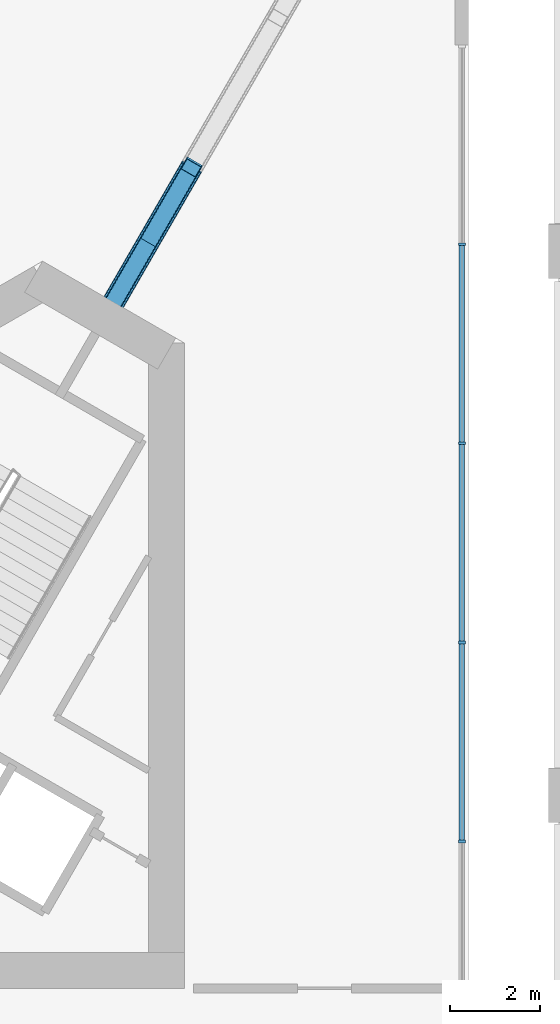
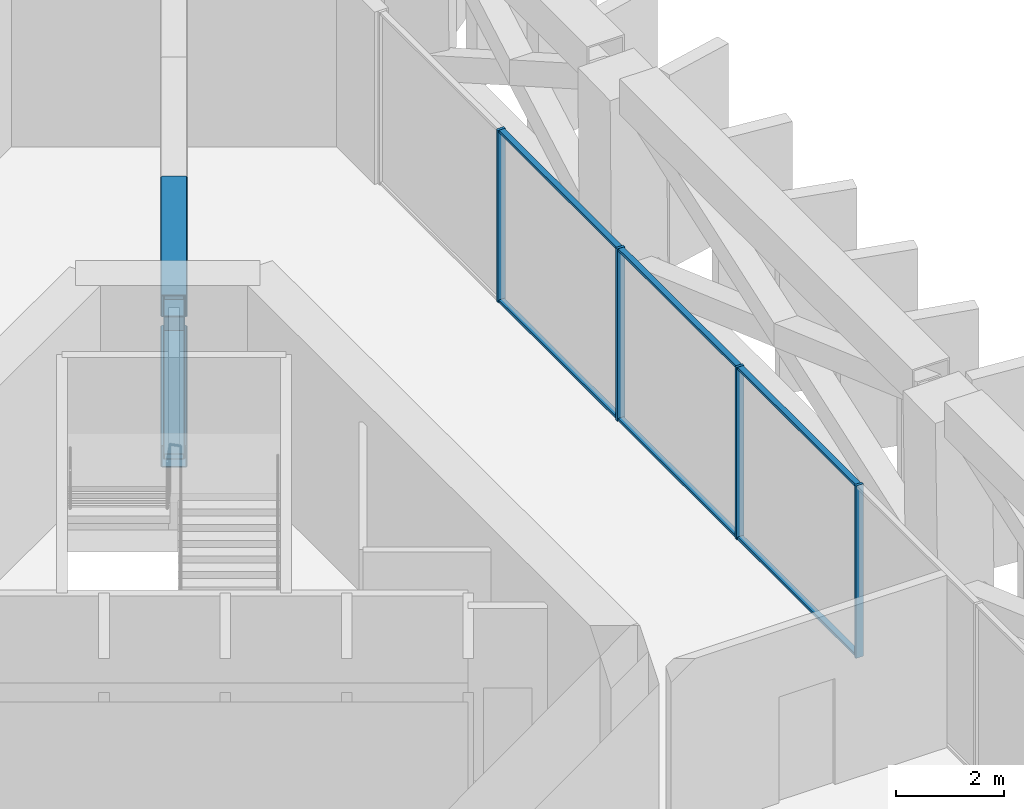
# One storey, part 10 of 18: 14 members, 1 element without a shape of its own.
"""IFC4 building model written with IfcOpenShell, lengths in metres."""

from ifc_helpers import new_model, si_unit, direction, frame, origin, origin_2d, place, context, subcontext, project, spatial, rectangle, hollow_rectangle, extrude, material, layer, layer_set, material_profile, profile_set, type_object, element, aggregate, save


model = new_model("IFC4")

# Units and contexts
model_context = context("Model", 3, precision=1e-05, world=origin(), true_north=direction((0.0, 1.0)))
body_context = subcontext(model_context, "Body", "Model", "MODEL_VIEW")
ifc_project = project(units=[si_unit("LENGTHUNIT", "METRE"), si_unit("AREAUNIT", "SQUARE_METRE"), si_unit("VOLUMEUNIT", "CUBIC_METRE"), si_unit("PLANEANGLEUNIT", "RADIAN"), si_unit("MASSUNIT", "GRAM", prefix="KILO")], contexts=[model_context])

# Site, building, storey
site_placement = place(None, origin())
site = spatial("IfcSite", under=ifc_project, at=site_placement, CompositionType="ELEMENT")
building_placement = place(site_placement, origin())
building = spatial("IfcBuilding", under=site, at=building_placement, Name="Jabali Bay Hotel Tower and Convention Centre", CompositionType="ELEMENT")
storey_placement = place(building_placement, frame((0.0, 0.0, 52.89990234375)))
storey = spatial("IfcBuildingStorey", under=building, at=storey_placement, Name="L11", CompositionType="ELEMENT", Elevation=52.89990234375)

# Curtain wall, members
ifc_material_1 = material(Name="Aluminium and glass", Category="aluminium")
ifc_layer = layer(ifc_material_1, 0.159912109375)
ifc_layer_set = layer_set([ifc_layer], Name="Aluminium and glass")
curtain_wall_type = type_object("IfcCurtainWallType", Name="CW3 curtain wall", PredefinedType="NOTDEFINED", material=ifc_layer_set)
curtain_wall_placement = place(storey_placement, origin())
curtain_wall = element("IfcCurtainWall", 1, at=curtain_wall_placement, inside=storey, type_object=curtain_wall_type, Name="CW3 curtain wall east face L11", PredefinedType="NOTDEFINED")
ifc_material_2 = material(Name="Aluminium", Category="aluminium")
ifc_material_profile_1 = material_profile(ifc_material_2, rectangle(XDim=0.159912109375, YDim=0.06005859375, at=origin_2d()), Name="CW3 mullion 60 x 160")
ifc_profile_set_1 = profile_set([ifc_material_profile_1], Name="Aluminium")
member_type_1 = type_object("IfcMemberType", Name="CW3 mullion 60 x 160", PredefinedType="MULLION", material=ifc_profile_set_1)
member_1_placement = place(storey_placement, frame((96.03759765625, 104.324951171875, 0.0), z_axis=(0.0, 0.0, 1.0), x_axis=(1.0, 0.0, 0.0)))
member_1 = element("IfcMember", 2, at=member_1_placement, type_object=member_type_1, Name="CW3 mullion 2", PredefinedType="MULLION", context=body_context, shape_type="SweptSolid", body=[
    extrude(rectangle(XDim=0.159912109375, YDim=0.06005859375, at=origin_2d()), origin(), (0.0, 0.0, 1.0), 3.900146484375),
])
member_2_placement = place(storey_placement, frame((96.03759765625, 99.90234375, 0.0), z_axis=(0.0, 0.0, 1.0), x_axis=(1.0, 0.0, 0.0)))
member_2 = element("IfcMember", 3, at=member_2_placement, type_object=member_type_1, Name="CW3 mullion 3", PredefinedType="MULLION", context=body_context, shape_type="SweptSolid", body=[
    extrude(rectangle(XDim=0.159912109375, YDim=0.06005859375, at=origin_2d()), origin(), (0.0, 0.0, 1.0), 3.900146484375),
])
member_3_placement = place(storey_placement, frame((96.03759765625, 95.4794921875, 0.0), z_axis=(0.0, 0.0, 1.0), x_axis=(1.0, 0.0, 0.0)))
member_3 = element("IfcMember", 4, at=member_3_placement, type_object=member_type_1, Name="CW3 mullion 4", PredefinedType="MULLION", context=body_context, shape_type="SweptSolid", body=[
    extrude(rectangle(XDim=0.159912109375, YDim=0.06005859375, at=origin_2d()), origin(), (0.0, 0.0, 1.0), 3.900146484375),
])
member_4_placement = place(storey_placement, frame((96.03759765625, 91.056884765625, 0.0), z_axis=(0.0, 0.0, 1.0), x_axis=(1.0, 0.0, 0.0)))
member_4 = element("IfcMember", 5, at=member_4_placement, type_object=member_type_1, Name="CW3 mullion 5", PredefinedType="MULLION", context=body_context, shape_type="SweptSolid", body=[
    extrude(rectangle(XDim=0.159912109375, YDim=0.06005859375, at=origin_2d()), origin(), (0.0, 0.0, 1.0), 3.900146484375),
])
ifc_material_profile_2 = material_profile(ifc_material_2, rectangle(XDim=0.1201171875, YDim=0.06005859375, at=origin_2d()), Name="CW3 transom 60 x 120")
ifc_profile_set_2 = profile_set([ifc_material_profile_2], Name="Aluminium")
member_type_2 = type_object("IfcMemberType", Name="CW3 transom 60 x 120", PredefinedType="USERDEFINED", material=ifc_profile_set_2)
member_5_placement = place(storey_placement, frame((96.03759765625, 104.294921875, 0.030029296875), z_axis=(0.0, -1.0, 0.0), x_axis=(1.0, 0.0, 0.0)))
member_5 = element("IfcMember", 6, at=member_5_placement, type_object=member_type_2, Name="CW3 transom 2.1", ObjectType="TRANSOM", PredefinedType="USERDEFINED", context=body_context, shape_type="SweptSolid", body=[
    extrude(rectangle(XDim=0.1201171875, YDim=0.06005859375, at=origin_2d()), origin(), (0.0, 0.0, 1.0), 4.362548828125),
])
member_6_placement = place(storey_placement, frame((96.03759765625, 104.294921875, 3.8701171875), z_axis=(0.0, -1.0, 0.0), x_axis=(1.0, 0.0, 0.0)))
member_6 = element("IfcMember", 7, at=member_6_placement, type_object=member_type_2, Name="CW3 transom 2.2", ObjectType="TRANSOM", PredefinedType="USERDEFINED", context=body_context, shape_type="SweptSolid", body=[
    extrude(rectangle(XDim=0.1201171875, YDim=0.06005859375, at=origin_2d()), origin(), (0.0, 0.0, 1.0), 4.362548828125),
])
member_7_placement = place(storey_placement, frame((96.03759765625, 99.872314453125, 0.030029296875), z_axis=(0.0, -1.0, 0.0), x_axis=(1.0, 0.0, 0.0)))
member_7 = element("IfcMember", 8, at=member_7_placement, type_object=member_type_2, Name="CW3 transom 3.1", ObjectType="TRANSOM", PredefinedType="USERDEFINED", context=body_context, shape_type="SweptSolid", body=[
    extrude(rectangle(XDim=0.1201171875, YDim=0.06005859375, at=origin_2d()), origin(), (0.0, 0.0, 1.0), 4.36279296875),
])
member_8_placement = place(storey_placement, frame((96.03759765625, 99.872314453125, 3.8701171875), z_axis=(0.0, -1.0, 0.0), x_axis=(1.0, 0.0, 0.0)))
member_8 = element("IfcMember", 9, at=member_8_placement, type_object=member_type_2, Name="CW3 transom 3.2", ObjectType="TRANSOM", PredefinedType="USERDEFINED", context=body_context, shape_type="SweptSolid", body=[
    extrude(rectangle(XDim=0.1201171875, YDim=0.06005859375, at=origin_2d()), origin(), (0.0, 0.0, 1.0), 4.36279296875),
])
member_9_placement = place(storey_placement, frame((96.03759765625, 95.449462890625, 0.030029296875), z_axis=(0.0, -1.0, 0.0), x_axis=(1.0, 0.0, 0.0)))
member_9 = element("IfcMember", 10, at=member_9_placement, type_object=member_type_2, Name="CW3 transom 4.1", ObjectType="TRANSOM", PredefinedType="USERDEFINED", context=body_context, shape_type="SweptSolid", body=[
    extrude(rectangle(XDim=0.1201171875, YDim=0.06005859375, at=origin_2d()), origin(), (0.0, 0.0, 1.0), 4.362548828125),
])
member_10_placement = place(storey_placement, frame((96.03759765625, 95.449462890625, 3.8701171875), z_axis=(0.0, -1.0, 0.0), x_axis=(1.0, 0.0, 0.0)))
member_10 = element("IfcMember", 11, at=member_10_placement, type_object=member_type_2, Name="CW3 transom 4.2", ObjectType="TRANSOM", PredefinedType="USERDEFINED", context=body_context, shape_type="SweptSolid", body=[
    extrude(rectangle(XDim=0.1201171875, YDim=0.06005859375, at=origin_2d()), origin(), (0.0, 0.0, 1.0), 4.362548828125),
])
aggregate(curtain_wall, [member_1, member_2, member_3, member_4, member_5, member_6, member_7, member_8, member_9, member_10])

# Members
ifc_material_3 = material(Name="Steel Q420GJC", Category="steel")
ifc_material_profile_3 = material_profile(ifc_material_3, hollow_rectangle(XDim=0.39990234375, YDim=0.39990234375, WallThickness=0.011962890625, InnerFilletRadius=0.01806640625, OuterFilletRadius=0.030029296875, at=origin_2d()), Name="Outrigger brace 400x400x12")
ifc_profile_set_3 = profile_set([ifc_material_profile_3], Name="Steel Q420GJC")
member_type_3 = type_object("IfcMemberType", Name="Outrigger brace 400x400x12", PredefinedType="BRACE", material=ifc_profile_set_3)
member_11_placement = place(storey_placement, frame((88.1015625, 102.692626953125, 0.25), z_axis=(0.37452874291, 0.648682070153, 0.662525314683), x_axis=(-0.866018481016, 0.500011990396, 0.0)))
element("IfcMember", 12, at=member_11_placement, inside=storey, type_object=member_type_3, Name="Outrigger brace T1 2.1x1", PredefinedType="BRACE", context=body_context, shape_type="SweptSolid", body=[
    extrude(hollow_rectangle(XDim=0.39990234375, YDim=0.39990234375, WallThickness=0.011962890625, InnerFilletRadius=0.01806640625, OuterFilletRadius=0.030029296875, at=origin_2d()), origin(), (0.0, 0.0, 1.0), 5.132080078125),
])
member_12_placement = place(storey_placement, frame((90.043701171875, 106.05615234375, 0.25), z_axis=(-0.376237933003, -0.651593966433, 0.658688333492), x_axis=(0.866002393897, -0.500039852177, 0.0)))
element("IfcMember", 13, at=member_12_placement, inside=storey, type_object=member_type_3, Name="Outrigger brace T1 2.1x2", PredefinedType="BRACE", context=body_context, shape_type="SweptSolid", body=[
    extrude(hollow_rectangle(XDim=0.39990234375, YDim=0.39990234375, WallThickness=0.011962890625, InnerFilletRadius=0.01806640625, OuterFilletRadius=0.030029296875, at=origin_2d()), origin(), (0.0, 0.0, 1.0), 5.162109375),
])
ifc_material_profile_4 = material_profile(ifc_material_3, hollow_rectangle(XDim=0.5, YDim=0.5, WallThickness=0.01611328125, InnerFilletRadius=0.02392578125, OuterFilletRadius=0.0400390625, at=origin_2d()), Name="Outrigger chord 500x500x16")
ifc_profile_set_4 = profile_set([ifc_material_profile_4], Name="Steel Q420GJC")
member_type_4 = type_object("IfcMemberType", Name="Outrigger chord 500x500x16", PredefinedType="CHORD", material=ifc_profile_set_4)
member_13_placement = place(storey_placement, frame((88.1015625, 102.692626953125, 0.25), z_axis=(0.500039852177, 0.866002393897, 0.0), x_axis=(-0.866002393897, 0.500039852177, 0.0)))
element("IfcMember", 14, at=member_13_placement, inside=storey, type_object=member_type_4, Name="Outrigger chord T1 2.lo1", PredefinedType="CHORD", context=body_context, shape_type="SweptSolid", body=[
    extrude(hollow_rectangle(XDim=0.5, YDim=0.5, WallThickness=0.01611328125, InnerFilletRadius=0.02392578125, OuterFilletRadius=0.0400390625, at=origin_2d()), origin(), (0.0, 0.0, 1.0), 3.884033203125),
])
member_14_placement = place(storey_placement, frame((88.1015625, 102.692626953125, 3.650146484375), z_axis=(0.500011990396, 0.866018481016, 0.0), x_axis=(-0.866018481016, 0.500011990396, 0.0)))
element("IfcMember", 15, at=member_14_placement, inside=storey, type_object=member_type_4, Name="Outrigger chord T1 2.hi1", PredefinedType="CHORD", context=body_context, shape_type="SweptSolid", body=[
    extrude(hollow_rectangle(XDim=0.5, YDim=0.5, WallThickness=0.01611328125, InnerFilletRadius=0.02392578125, OuterFilletRadius=0.0400390625, at=origin_2d()), origin(), (0.0, 0.0, 1.0), 3.84423828125),
])

save(model, "model.ifc")
